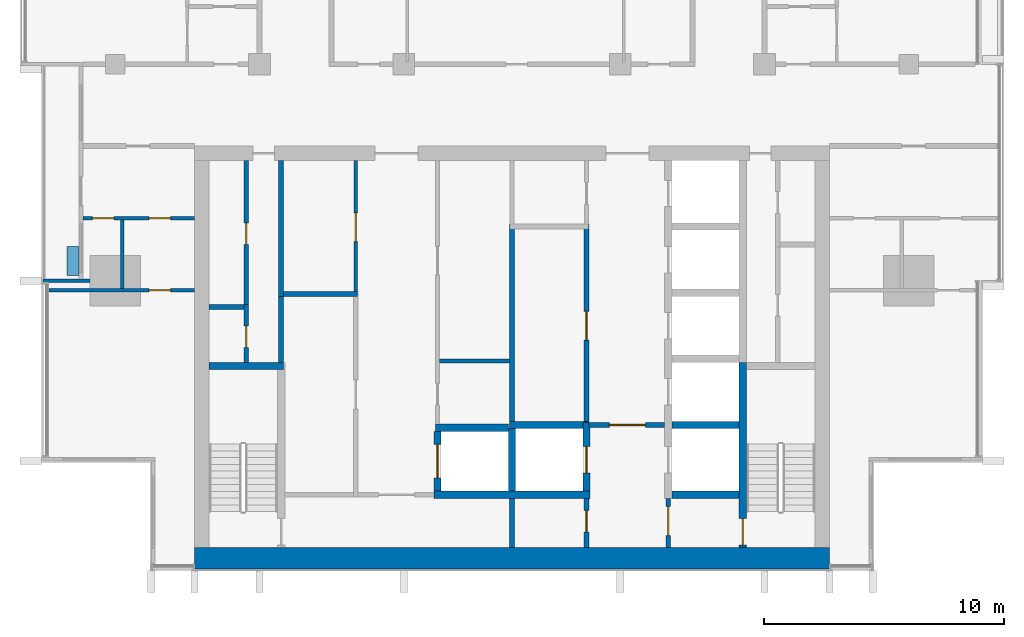
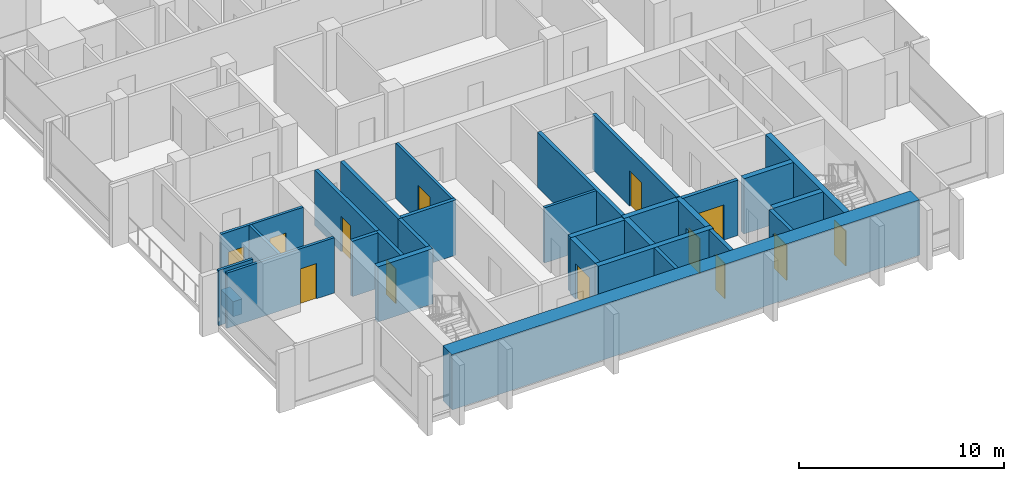
# One storey, part 7 of 16: 30 walls, 13 doors, 13 openings.
"""IFC4 building model written with IfcOpenShell, lengths in metres."""

from ifc_helpers import new_model, si_unit, direction, frame, frame_2d, origin, place, context, subcontext, project, spatial, rectangle, extrude, material, layer, layer_set, type_object, element, fill, save


model = new_model("IFC4")

# Units and contexts
model_context = context("Model", 3, precision=1e-05, world=origin(), true_north=direction((0.0, 1.0)))
body_context = subcontext(model_context, "Body", "Model", "MODEL_VIEW")
ifc_project = project(units=[si_unit("LENGTHUNIT", "METRE"), si_unit("AREAUNIT", "SQUARE_METRE"), si_unit("VOLUMEUNIT", "CUBIC_METRE"), si_unit("PLANEANGLEUNIT", "RADIAN"), si_unit("MASSUNIT", "GRAM", prefix="KILO")], contexts=[model_context])

# Site, building, storey
site_placement = place(None, origin())
site = spatial("IfcSite", under=ifc_project, at=site_placement, CompositionType="ELEMENT")
building_placement = place(site_placement, origin())
building = spatial("IfcBuilding", under=site, at=building_placement, Name="Finial Court Residences", CompositionType="ELEMENT")
storey_placement = place(building_placement, frame((0.0, 0.0, 215.89990234375)))
storey = spatial("IfcBuildingStorey", under=building, at=storey_placement, Name="L54", CompositionType="ELEMENT", Elevation=215.89990234375)

# Wall
ifc_material_1 = material(Name="Fire-rated gypsum board partition")
ifc_layer_1 = layer(ifc_material_1, 0.14990234375)
ifc_layer_set_1 = layer_set([ifc_layer_1], Name="Core room partition 150 EI 60")
wall_type_1 = type_object("IfcWallType", Name="Core room partition 150 EI 60", PredefinedType="PARTITIONING", material=ifc_layer_set_1)
wall_1_placement = place(storey_placement, frame((-3.02490234375, -16.840087890625, 0.0), z_axis=(0.0, 0.0, 1.0), x_axis=(1.0, 0.0, 0.0)))
element("IfcWall", 1, at=wall_1_placement, inside=storey, type_object=wall_type_1, Name="Core partition L54-11", PredefinedType="PARTITIONING", context=body_context, shape_type="SweptSolid", body=[
    extrude(rectangle(XDim=2.9248046875, YDim=0.14990234375, at=frame_2d((1.46240234375, 0.0))), origin(), (0.0, 0.0, 1.0), 3.300048828125),
])

# Wall, opening, door
wall_2_placement = place(storey_placement, frame((-6.5, -13.9599609375, 0.0), z_axis=(0.0, 0.0, 1.0), x_axis=(0.0, 1.0, 0.0)))
wall_2 = element("IfcWall", 2, at=wall_2_placement, inside=storey, type_object=wall_type_1, Name="Core partition L54-25", PredefinedType="PARTITIONING", context=body_context, shape_type="SweptSolid", body=[
    extrude(rectangle(XDim=5.4599609375, YDim=0.14990234375, at=frame_2d((2.72998046875, 0.0))), origin(), (0.0, 0.0, 1.0), 3.300048828125),
])
opening_1_placement = place(wall_2_placement, frame((2.080078125, 0.0, 0.0)))
opening_1 = element("IfcOpeningElement", 3, at=opening_1_placement, cuts=wall_2, Name="Opening L54-C15", PredefinedType="OPENING", context=body_context, shape_type="SweptSolid", body=[
    extrude(rectangle(XDim=1.199951171875, YDim=2.10009765625, at=frame_2d((0.60009765625, 1.050048828125))), frame((0.0, 0.0849609375, 0.0), z_axis=(0.0, -1.0, 0.0), x_axis=(1.0, 0.0, 0.0)), (0.0, 0.0, 1.0), 0.169921875),
])
ifc_material_2 = material(Name="Steel fire door", Category="steel")
door_type_1 = type_object("IfcDoorType", Name="Core room door 1200 x 2100 EI 60", OperationType="NOTDEFINED", PredefinedType="DOOR", material=ifc_material_2)
door_1_placement = place(opening_1_placement, origin())
door_1 = element("IfcDoor", 4, at=door_1_placement, inside=storey, type_object=door_type_1, Name="Core room door L54-C15", OperationType="SINGLE_SWING_RIGHT", OverallHeight=2.10009765625, OverallWidth=1.199951171875, PredefinedType="DOOR", context=body_context, shape_type="SweptSolid", body=[
    extrude(rectangle(XDim=1.199951171875, YDim=2.10009765625, at=frame_2d((0.60009765625, 1.050048828125))), frame((0.0, 0.02490234375, 0.0), z_axis=(0.0, -1.0, 0.0), x_axis=(1.0, 0.0, 0.0)), (0.0, 0.0, 1.0), 0.050048828125),
])
fill(opening_1, door_1)

# Wall
ifc_material_3 = material(Name="Concrete C60/75", Category="concrete")
ifc_layer_2 = layer(ifc_material_3, 0.89990234375)
ifc_layer_set_2 = layer_set([ifc_layer_2], Name="Core south facade wall 900 Concrete C60/75")
wall_type_2 = type_object("IfcWallType", Name="Core south facade wall 900 Concrete C60/75", PredefinedType="SHEAR", material=ifc_layer_set_2)
wall_3_placement = place(storey_placement, frame((-13.199951171875, -25.050048828125, 0.0), z_axis=(0.0, 0.0, 1.0), x_axis=(1.0, 0.0, 0.0)))
element("IfcWall", 5, at=wall_3_placement, inside=storey, type_object=wall_type_2, Name="Core outer wall L54-01", PredefinedType="SHEAR", context=body_context, shape_type="SweptSolid", body=[
    extrude(rectangle(XDim=26.39990234375, YDim=0.89990234375, at=frame_2d((13.199951171875, 0.0))), origin(), (0.0, 0.0, 1.0), 3.300048828125),
])

# Wall, opening, door
ifc_layer_3 = layer(ifc_material_1, 0.199951171875)
ifc_layer_set_3 = layer_set([ifc_layer_3], Name="Firefighting lobby wall 200 EI 120")
wall_type_3 = type_object("IfcWallType", Name="Firefighting lobby wall 200 EI 120", PredefinedType="PARTITIONING", material=ifc_layer_set_3)
wall_4_placement = place(storey_placement, frame((6.35009765625, -19.5, 0.0), z_axis=(0.0, 0.0, 1.0), x_axis=(-1.0, 0.0, 0.0)))
wall_4 = element("IfcWall", 6, at=wall_4_placement, inside=storey, type_object=wall_type_3, Name="Core partition L54-07", PredefinedType="PARTITIONING", context=body_context, shape_type="SweptSolid", body=[
    extrude(rectangle(XDim=3.150146484375, YDim=0.199951171875, at=frame_2d((1.5751953125, 0.0))), origin(), (0.0, 0.0, 1.0), 3.300048828125),
])
opening_2_placement = place(wall_4_placement, frame((0.800048828125, 0.0, 0.0)))
opening_2 = element("IfcOpeningElement", 7, at=opening_2_placement, cuts=wall_4, Name="Opening L54-C02", PredefinedType="OPENING", context=body_context, shape_type="SweptSolid", body=[
    extrude(rectangle(XDim=1.5, YDim=2.10009765625, at=frame_2d((0.75, 1.050048828125))), frame((0.0, 0.10986328125, 0.0), z_axis=(0.0, -1.0, 0.0), x_axis=(1.0, 0.0, 0.0)), (0.0, 0.0, 1.0), 0.219970703125),
])
door_type_2 = type_object("IfcDoorType", Name="Firefighting lobby door 1500 x 2100 EI 90", OperationType="DOUBLE_DOOR_SINGLE_SWING", PredefinedType="DOOR", material=ifc_material_2)
door_2_placement = place(opening_2_placement, origin())
door_2 = element("IfcDoor", 8, at=door_2_placement, inside=storey, type_object=door_type_2, Name="Firefighting lobby door L54-C02", OperationType="DOUBLE_DOOR_SINGLE_SWING", OverallHeight=2.10009765625, OverallWidth=1.5, PredefinedType="DOOR", context=body_context, shape_type="SweptSolid", body=[
    extrude(rectangle(XDim=1.5, YDim=2.10009765625, at=frame_2d((0.75, 1.050048828125))), frame((0.0, 0.02490234375, 0.0), z_axis=(0.0, -1.0, 0.0), x_axis=(1.0, 0.0, 0.0)), (0.0, 0.0, 1.0), 0.050048828125),
])
fill(opening_2, door_2)

wall_5_placement = place(storey_placement, frame((3.10009765625, -24.60009765625, 0.0), z_axis=(0.0, 0.0, 1.0), x_axis=(0.0, 1.0, 0.0)))
wall_5 = element("IfcWall", 9, at=wall_5_placement, inside=storey, type_object=wall_type_3, Name="Core partition L54-32", PredefinedType="PARTITIONING", context=body_context, shape_type="SweptSolid", body=[
    extrude(rectangle(XDim=2.050048828125, YDim=0.199951171875, at=frame_2d((1.02490234375, 0.0))), origin(), (0.0, 0.0, 1.0), 3.300048828125),
])
opening_3_placement = place(wall_5_placement, frame((0.64990234375, 0.0, 0.0)))
opening_3 = element("IfcOpeningElement", 10, at=opening_3_placement, cuts=wall_5, Name="Opening L54-C06", PredefinedType="OPENING", context=body_context, shape_type="SweptSolid", body=[
    extrude(rectangle(XDim=0.89990234375, YDim=2.10009765625, at=frame_2d((0.449951171875, 1.050048828125))), frame((0.0, 0.10986328125, 0.0), z_axis=(0.0, -1.0, 0.0), x_axis=(1.0, 0.0, 0.0)), (0.0, 0.0, 1.0), 0.219970703125),
])
door_type_3 = type_object("IfcDoorType", Name="Riser room door 900 x 2100 EI 90", OperationType="NOTDEFINED", PredefinedType="DOOR", material=ifc_material_2)
door_3_placement = place(opening_3_placement, origin())
door_3 = element("IfcDoor", 11, at=door_3_placement, inside=storey, type_object=door_type_3, Name="Riser room door L54-C06", OperationType="SINGLE_SWING_LEFT", OverallHeight=2.10009765625, OverallWidth=0.89990234375, PredefinedType="DOOR", context=body_context, shape_type="SweptSolid", body=[
    extrude(rectangle(XDim=0.89990234375, YDim=2.10009765625, at=frame_2d((0.449951171875, 1.050048828125))), frame((0.0, 0.02490234375, 0.0), z_axis=(0.0, -1.0, 0.0), x_axis=(1.0, 0.0, 0.0)), (0.0, 0.0, 1.0), 0.050048828125),
])
fill(opening_3, door_3)

wall_6_placement = place(storey_placement, frame((6.5, -22.550048828125, 0.0), z_axis=(0.0, 0.0, 1.0), x_axis=(0.0, -1.0, 0.0)))
wall_6 = element("IfcWall", 12, at=wall_6_placement, inside=storey, type_object=wall_type_3, Name="Core partition L54-36", PredefinedType="PARTITIONING", context=body_context, shape_type="SweptSolid", body=[
    extrude(rectangle(XDim=2.050048828125, YDim=0.199951171875, at=frame_2d((1.02490234375, 0.0))), origin(), (0.0, 0.0, 1.0), 3.300048828125),
])
opening_4_placement = place(wall_6_placement, frame((0.35009765625, 0.0, 0.0)))
opening_4 = element("IfcOpeningElement", 13, at=opening_4_placement, cuts=wall_6, Name="Opening L54-C01", PredefinedType="OPENING", context=body_context, shape_type="SweptSolid", body=[
    extrude(rectangle(XDim=1.199951171875, YDim=2.10009765625, at=frame_2d((0.60009765625, 1.050048828125))), frame((0.0, 0.10986328125, 0.0), z_axis=(0.0, -1.0, 0.0), x_axis=(1.0, 0.0, 0.0)), (0.0, 0.0, 1.0), 0.219970703125),
])
door_type_4 = type_object("IfcDoorType", Name="Firefighting lobby door 1200 x 2100 EI 90", OperationType="NOTDEFINED", PredefinedType="DOOR", material=ifc_material_2)
door_4_placement = place(opening_4_placement, origin())
door_4 = element("IfcDoor", 14, at=door_4_placement, inside=storey, type_object=door_type_4, Name="Firefighting lobby door L54-C01", OperationType="SINGLE_SWING_RIGHT", OverallHeight=2.10009765625, OverallWidth=1.199951171875, PredefinedType="DOOR", context=body_context, shape_type="SweptSolid", body=[
    extrude(rectangle(XDim=1.199951171875, YDim=2.10009765625, at=frame_2d((0.60009765625, 1.050048828125))), frame((0.0, 0.02490234375, 0.0), z_axis=(0.0, -1.0, 0.0), x_axis=(1.0, 0.0, 0.0)), (0.0, 0.0, 1.0), 0.050048828125),
])
fill(opening_4, door_4)

ifc_material_4 = material(Name="Moisture-resistant gypsum board")
ifc_layer_4 = layer(ifc_material_4, 0.012451171875)
ifc_material_5 = material(Name="Mineral wool in light-gauge frame")
ifc_layer_5 = layer(ifc_material_5, 0.125)
ifc_layer_6 = layer(ifc_material_4, 0.012451171875)
ifc_layer_set_4 = layer_set([ifc_layer_4, ifc_layer_5, ifc_layer_6], Name="Gypsum board wet-area partition 150")
wall_type_4 = type_object("IfcWallType", Name="Gypsum board wet-area partition 150", PredefinedType="PARTITIONING", material=ifc_layer_set_4)
wall_7_placement = place(storey_placement, frame((-19.262451171875, -13.89990234375, 0.0), z_axis=(0.0, 0.0, 1.0), x_axis=(1.0, 0.0, 0.0)))
wall_7 = element("IfcWall", 15, at=wall_7_placement, inside=storey, type_object=wall_type_4, Name="Partition L54-000", PredefinedType="PARTITIONING", context=body_context, shape_type="SweptSolid", body=[
    extrude(rectangle(XDim=6.0625, YDim=0.14990234375, at=frame_2d((3.03125, 0.0))), origin(), (0.0, 0.0, 1.0), 3.300048828125),
])
opening_5_placement = place(wall_7_placement, frame((4.162109375, 0.0, 0.0)))
opening_5 = element("IfcOpeningElement", 16, at=opening_5_placement, cuts=wall_7, Name="Opening L54-D001", PredefinedType="OPENING", context=body_context, shape_type="SweptSolid", body=[
    extrude(rectangle(XDim=0.89990234375, YDim=2.10009765625, at=frame_2d((0.449951171875, 1.050048828125))), frame((0.0, 0.0849609375, 0.0), z_axis=(0.0, -1.0, 0.0), x_axis=(1.0, 0.0, 0.0)), (0.0, 0.0, 1.0), 0.169921875),
])
ifc_material_6 = material(Name="Timber door leaf in timber frame", Category="wood")
door_type_5 = type_object("IfcDoorType", Name="Door set 900 x 2100", OperationType="SINGLE_SWING_LEFT", PredefinedType="DOOR", material=ifc_material_6)
door_5_placement = place(opening_5_placement, origin())
door_5 = element("IfcDoor", 17, at=door_5_placement, inside=storey, type_object=door_type_5, Name="Door L54-D001", OperationType="SINGLE_SWING_RIGHT", OverallHeight=2.10009765625, OverallWidth=0.89990234375, PredefinedType="DOOR", context=body_context, shape_type="SweptSolid", body=[
    extrude(rectangle(XDim=0.89990234375, YDim=2.10009765625, at=frame_2d((0.449951171875, 1.050048828125))), frame((0.0, 0.02490234375, 0.0), z_axis=(0.0, -1.0, 0.0), x_axis=(1.0, 0.0, 0.0)), (0.0, 0.0, 1.0), 0.050048828125),
])
fill(opening_5, door_5)

# Wall, openings, doors
wall_8_placement = place(storey_placement, frame((-17.85009765625, -10.89990234375, 0.0), z_axis=(0.0, 0.0, 1.0), x_axis=(1.0, 0.0, 0.0)))
wall_8 = element("IfcWall", 18, at=wall_8_placement, inside=storey, type_object=wall_type_4, Name="Partition L54-002", PredefinedType="PARTITIONING", context=body_context, shape_type="SweptSolid", body=[
    extrude(rectangle(XDim=4.650146484375, YDim=0.14990234375, at=frame_2d((2.3251953125, 0.0))), origin(), (0.0, 0.0, 1.0), 3.300048828125),
])
opening_6_placement = place(wall_8_placement, frame((0.39990234375, 0.0, 0.0)))
opening_6 = element("IfcOpeningElement", 19, at=opening_6_placement, cuts=wall_8, Name="Opening L54-D003", PredefinedType="OPENING", context=body_context, shape_type="SweptSolid", body=[
    extrude(rectangle(XDim=0.89990234375, YDim=2.10009765625, at=frame_2d((0.449951171875, 1.050048828125))), frame((0.0, 0.0849609375, 0.0), z_axis=(0.0, -1.0, 0.0), x_axis=(1.0, 0.0, 0.0)), (0.0, 0.0, 1.0), 0.169921875),
])
opening_7_placement = place(wall_8_placement, frame((2.75, 0.0, 0.0)))
opening_7 = element("IfcOpeningElement", 20, at=opening_7_placement, cuts=wall_8, Name="Opening L54-D004", PredefinedType="OPENING", context=body_context, shape_type="SweptSolid", body=[
    extrude(rectangle(XDim=0.89990234375, YDim=2.10009765625, at=frame_2d((0.449951171875, 1.050048828125))), frame((0.0, 0.0849609375, 0.0), z_axis=(0.0, -1.0, 0.0), x_axis=(1.0, 0.0, 0.0)), (0.0, 0.0, 1.0), 0.169921875),
])
door_6_placement = place(opening_6_placement, origin())
door_6 = element("IfcDoor", 21, at=door_6_placement, inside=storey, type_object=door_type_5, Name="Door L54-D003", OperationType="SINGLE_SWING_LEFT", OverallHeight=2.10009765625, OverallWidth=0.89990234375, PredefinedType="DOOR", context=body_context, shape_type="SweptSolid", body=[
    extrude(rectangle(XDim=0.89990234375, YDim=2.10009765625, at=frame_2d((0.449951171875, 1.050048828125))), frame((0.0, 0.02490234375, 0.0), z_axis=(0.0, -1.0, 0.0), x_axis=(1.0, 0.0, 0.0)), (0.0, 0.0, 1.0), 0.050048828125),
])
fill(opening_6, door_6)
door_7_placement = place(opening_7_placement, origin())
door_7 = element("IfcDoor", 22, at=door_7_placement, inside=storey, type_object=door_type_5, Name="Door L54-D004", OperationType="SINGLE_SWING_RIGHT", OverallHeight=2.10009765625, OverallWidth=0.89990234375, PredefinedType="DOOR", context=body_context, shape_type="SweptSolid", body=[
    extrude(rectangle(XDim=0.89990234375, YDim=2.10009765625, at=frame_2d((0.449951171875, 1.050048828125))), frame((0.0, 0.02490234375, 0.0), z_axis=(0.0, -1.0, 0.0), x_axis=(1.0, 0.0, 0.0)), (0.0, 0.0, 1.0), 0.050048828125),
])
fill(opening_7, door_7)

# Walls
wall_9_placement = place(storey_placement, frame((-16.199951171875, -13.824951171875, 0.0), z_axis=(0.0, 0.0, 1.0), x_axis=(0.0, 1.0, 0.0)))
element("IfcWall", 23, at=wall_9_placement, inside=storey, type_object=wall_type_4, Name="Partition L54-033", PredefinedType="PARTITIONING", context=body_context, shape_type="SweptSolid", body=[
    extrude(rectangle(XDim=2.849853515625, YDim=0.14990234375, at=frame_2d((1.4248046875, 0.0))), origin(), (0.0, 0.0, 1.0), 3.300048828125),
])
ifc_layer_7 = layer(ifc_material_3, 0.300048828125)
ifc_layer_set_5 = layer_set([ifc_layer_7], Name="Lift shaft and stair wall 300 Concrete C60/75")
wall_type_5 = type_object("IfcWallType", Name="Lift shaft and stair wall 300 Concrete C60/75", PredefinedType="SHEAR", material=ifc_layer_set_5)
wall_10_placement = place(storey_placement, frame((-3.25, -22.39990234375, 0.0), z_axis=(0.0, 0.0, 1.0), x_axis=(1.0, 0.0, 0.0)))
element("IfcWall", 24, at=wall_10_placement, inside=storey, type_object=wall_type_5, Name="Core wall L54-03", PredefinedType="SHEAR", context=body_context, shape_type="SweptSolid", body=[
    extrude(rectangle(XDim=6.5, YDim=0.300048828125, at=frame_2d((3.25, 0.0))), origin(), (0.0, 0.0, 1.0), 3.300048828125),
])
wall_11_placement = place(storey_placement, frame((6.64990234375, -22.39990234375, 0.0), z_axis=(0.0, 0.0, 1.0), x_axis=(1.0, 0.0, 0.0)))
element("IfcWall", 25, at=wall_11_placement, inside=storey, type_object=wall_type_5, Name="Core wall L54-04", PredefinedType="SHEAR", context=body_context, shape_type="SweptSolid", body=[
    extrude(rectangle(XDim=2.800048828125, YDim=0.300048828125, at=frame_2d((1.39990234375, 0.0))), origin(), (0.0, 0.0, 1.0), 3.300048828125),
])
wall_12_placement = place(storey_placement, frame((-3.175048828125, -19.6201171875, 0.0), z_axis=(0.0, 0.0, 1.0), x_axis=(1.0, 0.0, 0.0)))
element("IfcWall", 26, at=wall_12_placement, inside=storey, type_object=wall_type_5, Name="Core wall L54-05", PredefinedType="SHEAR", context=body_context, shape_type="SweptSolid", body=[
    extrude(rectangle(XDim=3.025146484375, YDim=0.300048828125, at=frame_2d((1.5126953125, 0.0))), origin(), (0.0, 0.0, 1.0), 3.300048828125),
])
wall_13_placement = place(storey_placement, frame((-0.10009765625, -19.5, 0.0), z_axis=(0.0, 0.0, 1.0), x_axis=(1.0, 0.0, 0.0)))
element("IfcWall", 27, at=wall_13_placement, inside=storey, type_object=wall_type_5, Name="Core wall L54-06", PredefinedType="SHEAR", context=body_context, shape_type="SweptSolid", body=[
    extrude(rectangle(XDim=3.300048828125, YDim=0.300048828125, at=frame_2d((1.64990234375, 0.0))), origin(), (0.0, 0.0, 1.0), 3.300048828125),
])
wall_14_placement = place(storey_placement, frame((6.64990234375, -19.5, 0.0), z_axis=(0.0, 0.0, 1.0), x_axis=(1.0, 0.0, 0.0)))
element("IfcWall", 28, at=wall_14_placement, inside=storey, type_object=wall_type_5, Name="Core wall L54-08", PredefinedType="SHEAR", context=body_context, shape_type="SweptSolid", body=[
    extrude(rectangle(XDim=2.800048828125, YDim=0.300048828125, at=frame_2d((1.39990234375, 0.0))), origin(), (0.0, 0.0, 1.0), 3.300048828125),
])
wall_15_placement = place(storey_placement, frame((-12.60009765625, -17.050048828125, 0.0), z_axis=(0.0, 0.0, 1.0), x_axis=(1.0, 0.0, 0.0)))
element("IfcWall", 29, at=wall_15_placement, inside=storey, type_object=wall_type_5, Name="Core wall L54-09", PredefinedType="SHEAR", context=body_context, shape_type="SweptSolid", body=[
    extrude(rectangle(XDim=3.10009765625, YDim=0.300048828125, at=frame_2d((1.550048828125, 0.0))), origin(), (0.0, 0.0, 1.0), 3.300048828125),
])

# Wall, opening, door
wall_16_placement = place(storey_placement, frame((-3.10009765625, -22.25, 0.0), z_axis=(0.0, 0.0, 1.0), x_axis=(0.0, 1.0, 0.0)))
wall_16 = element("IfcWall", 30, at=wall_16_placement, inside=storey, type_object=wall_type_5, Name="Core wall L54-26", PredefinedType="SHEAR", context=body_context, shape_type="SweptSolid", body=[
    extrude(rectangle(XDim=2.47998046875, YDim=0.300048828125, at=frame_2d((1.239990234375, 0.0))), origin(), (0.0, 0.0, 1.0), 3.300048828125),
])
opening_8_placement = place(wall_16_placement, frame((0.5400390625, 0.0, 0.0)))
opening_8 = element("IfcOpeningElement", 31, at=opening_8_placement, cuts=wall_16, Name="Opening L54-LD07", PredefinedType="OPENING", context=body_context, shape_type="SweptSolid", body=[
    extrude(rectangle(XDim=1.39990234375, YDim=2.10009765625, at=frame_2d((0.699951171875, 1.050048828125))), frame((0.0, 0.159912109375, 0.0), z_axis=(0.0, -1.0, 0.0), x_axis=(1.0, 0.0, 0.0)), (0.0, 0.0, 1.0), 0.320068359375),
])
ifc_material_7 = material(Name="Stainless steel lift door", Category="steel")
door_type_6 = type_object("IfcDoorType", Name="Lift landing door 1400 x 2100 EI 90", OperationType="DOUBLE_DOOR_SLIDING", PredefinedType="DOOR", material=ifc_material_7)
door_8_placement = place(opening_8_placement, origin())
door_8 = element("IfcDoor", 32, at=door_8_placement, inside=storey, type_object=door_type_6, Name="Lift landing door SV1 L54", OperationType="DOUBLE_DOOR_SLIDING", OverallHeight=2.10009765625, OverallWidth=1.39990234375, PredefinedType="DOOR", context=body_context, shape_type="SweptSolid", body=[
    extrude(rectangle(XDim=1.39990234375, YDim=2.10009765625, at=frame_2d((0.699951171875, 1.050048828125))), frame((0.0, 0.02490234375, 0.0), z_axis=(0.0, -1.0, 0.0), x_axis=(1.0, 0.0, 0.0)), (0.0, 0.0, 1.0), 0.050048828125),
])
fill(opening_8, door_8)

# Wall
wall_17_placement = place(storey_placement, frame((0.0, -22.25, 0.0), z_axis=(0.0, 0.0, 1.0), x_axis=(0.0, 1.0, 0.0)))
element("IfcWall", 33, at=wall_17_placement, inside=storey, type_object=wall_type_5, Name="Core wall L54-29", PredefinedType="SHEAR", context=body_context, shape_type="SweptSolid", body=[
    extrude(rectangle(XDim=2.60009765625, YDim=0.300048828125, at=frame_2d((1.300048828125, 0.0))), origin(), (0.0, 0.0, 1.0), 3.300048828125),
])

# Wall, opening, door
wall_18_placement = place(storey_placement, frame((3.10009765625, -22.25, 0.0), z_axis=(0.0, 0.0, 1.0), x_axis=(0.0, 1.0, 0.0)))
wall_18 = element("IfcWall", 34, at=wall_18_placement, inside=storey, type_object=wall_type_5, Name="Core wall L54-33", PredefinedType="SHEAR", context=body_context, shape_type="SweptSolid", body=[
    extrude(rectangle(XDim=2.85009765625, YDim=0.300048828125, at=frame_2d((1.425048828125, 0.0))), origin(), (0.0, 0.0, 1.0), 3.300048828125),
])
opening_9_placement = place(wall_18_placement, frame((0.75, 0.0, 0.0)))
opening_9 = element("IfcOpeningElement", 35, at=opening_9_placement, cuts=wall_18, Name="Opening L54-LD01", PredefinedType="OPENING", context=body_context, shape_type="SweptSolid", body=[
    extrude(rectangle(XDim=1.10009765625, YDim=2.10009765625, at=frame_2d((0.550048828125, 1.050048828125))), frame((0.0, 0.159912109375, 0.0), z_axis=(0.0, -1.0, 0.0), x_axis=(1.0, 0.0, 0.0)), (0.0, 0.0, 1.0), 0.320068359375),
])
door_type_7 = type_object("IfcDoorType", Name="Lift landing door 1100 x 2100 EI 90", OperationType="DOUBLE_DOOR_SLIDING", PredefinedType="DOOR", material=ifc_material_7)
door_9_placement = place(opening_9_placement, origin())
door_9 = element("IfcDoor", 36, at=door_9_placement, inside=storey, type_object=door_type_7, Name="Lift landing door FF1 L54", OperationType="DOUBLE_DOOR_SLIDING", OverallHeight=2.10009765625, OverallWidth=1.10009765625, PredefinedType="DOOR", context=body_context, shape_type="SweptSolid", body=[
    extrude(rectangle(XDim=1.10009765625, YDim=2.10009765625, at=frame_2d((0.550048828125, 1.050048828125))), frame((0.0, 0.02490234375, 0.0), z_axis=(0.0, -1.0, 0.0), x_axis=(1.0, 0.0, 0.0)), (0.0, 0.0, 1.0), 0.050048828125),
])
fill(opening_9, door_9)

wall_19_placement = place(storey_placement, frame((9.60009765625, -16.89990234375, 0.0), z_axis=(0.0, 0.0, 1.0), x_axis=(0.0, -1.0, 0.0)))
wall_19 = element("IfcWall", 37, at=wall_19_placement, inside=storey, type_object=wall_type_5, Name="Core wall L54-38", PredefinedType="SHEAR", context=body_context, shape_type="SweptSolid", body=[
    extrude(rectangle(XDim=7.7001953125, YDim=0.300048828125, at=frame_2d((3.85009765625, 0.0))), origin(), (0.0, 0.0, 1.0), 3.300048828125),
])
opening_10_placement = place(wall_19_placement, frame((6.5, 0.0, 0.0)))
opening_10 = element("IfcOpeningElement", 38, at=opening_10_placement, cuts=wall_19, Name="Opening L54-C20", PredefinedType="OPENING", context=body_context, shape_type="SweptSolid", body=[
    extrude(rectangle(XDim=1.10009765625, YDim=2.10009765625, at=frame_2d((0.550048828125, 1.050048828125))), frame((0.0, 0.159912109375, 0.0), z_axis=(0.0, -1.0, 0.0), x_axis=(1.0, 0.0, 0.0)), (0.0, 0.0, 1.0), 0.320068359375),
])
door_type_8 = type_object("IfcDoorType", Name="Stair door 1100 x 2100 EI 90", OperationType="NOTDEFINED", PredefinedType="DOOR", material=ifc_material_2)
door_10_placement = place(opening_10_placement, origin())
door_10 = element("IfcDoor", 39, at=door_10_placement, inside=storey, type_object=door_type_8, Name="Stair door L54-C20", OperationType="SINGLE_SWING_RIGHT", OverallHeight=2.10009765625, OverallWidth=1.10009765625, PredefinedType="DOOR", context=body_context, shape_type="SweptSolid", body=[
    extrude(rectangle(XDim=1.10009765625, YDim=2.10009765625, at=frame_2d((0.550048828125, 1.050048828125))), frame((0.0, 0.02490234375, 0.0), z_axis=(0.0, -1.0, 0.0), x_axis=(1.0, 0.0, 0.0)), (0.0, 0.0, 1.0), 0.050048828125),
])
fill(opening_10, door_10)

# Walls
ifc_material_8 = material(Name="Natural limestone", Category="masonry")
ifc_layer_8 = layer(ifc_material_8, 0.14990234375)
ifc_layer_set_6 = layer_set([ifc_layer_8], Name="Limestone clad wall 150")
wall_type_6 = type_object("IfcWallType", Name="Limestone clad wall 150", PredefinedType="SOLIDWALL", material=ifc_layer_set_6)
wall_20_placement = place(storey_placement, frame((-17.550048828125, -13.5, 0.0), z_axis=(0.0, 0.0, 1.0), x_axis=(-1.0, 0.0, 0.0)))
element("IfcWall", 40, at=wall_20_placement, inside=storey, type_object=wall_type_6, Name="E-L54-BALW2-P1", PredefinedType="SOLIDWALL", context=body_context, shape_type="SweptSolid", body=[
    extrude(rectangle(XDim=1.949951171875, YDim=0.14990234375, at=frame_2d((0.97509765625, 0.0))), origin(), (0.0, 0.0, 1.0), 3.300048828125),
])
ifc_material_9 = material(Name="Concrete C40/50", Category="concrete")
ifc_layer_9 = layer(ifc_material_9, 0.10009765625)
ifc_material_10 = material(Name="Planting soil", Category="soil")
ifc_layer_10 = layer(ifc_material_10, 0.300048828125)
ifc_layer_11 = layer(ifc_material_9, 0.10009765625)
ifc_layer_set_7 = layer_set([ifc_layer_9, ifc_layer_10, ifc_layer_11], Name="Planter wall, balcony")
wall_type_7 = type_object("IfcWallType", Name="Planter wall, balcony", PredefinedType="USERDEFINED", material=ifc_layer_set_7)
wall_21_placement = place(storey_placement, frame((-18.25, -13.27490234375, 0.0), z_axis=(0.0, 0.0, 1.0), x_axis=(0.0, 1.0, 0.0)))
element("IfcWall", 41, at=wall_21_placement, inside=storey, type_object=wall_type_7, Name="E-L54-BALW2-PL", ObjectType="PLANTER", PredefinedType="USERDEFINED", context=body_context, shape_type="SweptSolid", body=[
    extrude(rectangle(XDim=1.199951171875, YDim=0.5, at=frame_2d((0.60009765625, 0.0))), origin(), (0.0, 0.0, 1.0), 0.900146484375),
])
ifc_layer_12 = layer(ifc_material_1, 0.199951171875)
ifc_layer_set_8 = layer_set([ifc_layer_12], Name="Riser room wall 200 EI 120")
wall_type_8 = type_object("IfcWallType", Name="Riser room wall 200 EI 120", PredefinedType="PARTITIONING", material=ifc_layer_set_8)
wall_22_placement = place(storey_placement, frame((-12.60009765625, -14.60009765625, 0.0), z_axis=(0.0, 0.0, 1.0), x_axis=(1.0, 0.0, 0.0)))
element("IfcWall", 42, at=wall_22_placement, inside=storey, type_object=wall_type_8, Name="Core partition L54-13", PredefinedType="PARTITIONING", context=body_context, shape_type="SweptSolid", body=[
    extrude(rectangle(XDim=1.4501953125, YDim=0.199951171875, at=frame_2d((0.72509765625, 0.0))), origin(), (0.0, 0.0, 1.0), 3.300048828125),
])
wall_23_placement = place(storey_placement, frame((-9.5, -14.06005859375, 0.0), z_axis=(0.0, 0.0, 1.0), x_axis=(1.0, 0.0, 0.0)))
element("IfcWall", 43, at=wall_23_placement, inside=storey, type_object=wall_type_8, Name="Core partition L54-14", PredefinedType="PARTITIONING", context=body_context, shape_type="SweptSolid", body=[
    extrude(rectangle(XDim=3.074951171875, YDim=0.199951171875, at=frame_2d((1.53759765625, 0.0))), origin(), (0.0, 0.0, 1.0), 3.300048828125),
])

# Wall, opening, door
wall_24_placement = place(storey_placement, frame((-11.050048828125, -14.699951171875, 0.0), z_axis=(0.0, 0.0, 1.0), x_axis=(0.0, 1.0, 0.0)))
wall_24 = element("IfcWall", 44, at=wall_24_placement, inside=storey, type_object=wall_type_8, Name="Core partition L54-20", PredefinedType="PARTITIONING", context=body_context, shape_type="SweptSolid", body=[
    extrude(rectangle(XDim=6.199951171875, YDim=0.199951171875, at=frame_2d((3.10009765625, 0.0))), origin(), (0.0, 0.0, 1.0), 3.300048828125),
])
opening_11_placement = place(wall_24_placement, frame((2.699951171875, 0.0, 0.0)))
opening_11 = element("IfcOpeningElement", 45, at=opening_11_placement, cuts=wall_24, Name="Opening L54-C07", PredefinedType="OPENING", context=body_context, shape_type="SweptSolid", body=[
    extrude(rectangle(XDim=0.89990234375, YDim=2.10009765625, at=frame_2d((0.449951171875, 1.050048828125))), frame((0.0, 0.10986328125, 0.0), z_axis=(0.0, -1.0, 0.0), x_axis=(1.0, 0.0, 0.0)), (0.0, 0.0, 1.0), 0.219970703125),
])
door_11_placement = place(opening_11_placement, origin())
door_11 = element("IfcDoor", 46, at=door_11_placement, inside=storey, type_object=door_type_3, Name="Riser room door L54-C07", OperationType="SINGLE_SWING_LEFT", OverallHeight=2.10009765625, OverallWidth=0.89990234375, PredefinedType="DOOR", context=body_context, shape_type="SweptSolid", body=[
    extrude(rectangle(XDim=0.89990234375, YDim=2.10009765625, at=frame_2d((0.449951171875, 1.050048828125))), frame((0.0, 0.02490234375, 0.0), z_axis=(0.0, -1.0, 0.0), x_axis=(1.0, 0.0, 0.0)), (0.0, 0.0, 1.0), 0.050048828125),
])
fill(opening_11, door_11)

# Walls
wall_25_placement = place(storey_placement, frame((-9.60009765625, -16.89990234375, 0.0), z_axis=(0.0, 0.0, 1.0), x_axis=(0.0, 1.0, 0.0)))
element("IfcWall", 47, at=wall_25_placement, inside=storey, type_object=wall_type_8, Name="Core partition L54-22", PredefinedType="PARTITIONING", context=body_context, shape_type="SweptSolid", body=[
    extrude(rectangle(XDim=2.739990234375, YDim=0.199951171875, at=frame_2d((1.3701171875, 0.0))), origin(), (0.0, 0.0, 1.0), 3.300048828125),
])
wall_26_placement = place(storey_placement, frame((0.0, -24.60009765625, 0.0), z_axis=(0.0, 0.0, 1.0), x_axis=(0.0, 1.0, 0.0)))
element("IfcWall", 48, at=wall_26_placement, inside=storey, type_object=wall_type_8, Name="Core partition L54-28", PredefinedType="PARTITIONING", context=body_context, shape_type="SweptSolid", body=[
    extrude(rectangle(XDim=2.050048828125, YDim=0.199951171875, at=frame_2d((1.02490234375, 0.0))), origin(), (0.0, 0.0, 1.0), 3.300048828125),
])
wall_27_placement = place(storey_placement, frame((0.0, -19.35009765625, 0.0), z_axis=(0.0, 0.0, 1.0), x_axis=(0.0, 1.0, 0.0)))
element("IfcWall", 49, at=wall_27_placement, inside=storey, type_object=wall_type_8, Name="Core partition L54-30", PredefinedType="PARTITIONING", context=body_context, shape_type="SweptSolid", body=[
    extrude(rectangle(XDim=8.2001953125, YDim=0.199951171875, at=frame_2d((4.10009765625, 0.0))), origin(), (0.0, 0.0, 1.0), 3.300048828125),
])

# Wall, opening, door
wall_28_placement = place(storey_placement, frame((3.10009765625, -19.60009765625, 0.0), z_axis=(0.0, 0.0, 1.0), x_axis=(0.0, 1.0, 0.0)))
wall_28 = element("IfcWall", 50, at=wall_28_placement, inside=storey, type_object=wall_type_8, Name="Core partition L54-34", PredefinedType="PARTITIONING", context=body_context, shape_type="SweptSolid", body=[
    extrude(rectangle(XDim=8.4501953125, YDim=0.199951171875, at=frame_2d((4.22509765625, 0.0))), origin(), (0.0, 0.0, 1.0), 3.300048828125),
])
opening_12_placement = place(wall_28_placement, frame((3.625, 0.0, 0.0)))
opening_12 = element("IfcOpeningElement", 51, at=opening_12_placement, cuts=wall_28, Name="Opening L54-C10", PredefinedType="OPENING", context=body_context, shape_type="SweptSolid", body=[
    extrude(rectangle(XDim=1.199951171875, YDim=2.10009765625, at=frame_2d((0.60009765625, 1.050048828125))), frame((0.0, 0.10986328125, 0.0), z_axis=(0.0, -1.0, 0.0), x_axis=(1.0, 0.0, 0.0)), (0.0, 0.0, 1.0), 0.219970703125),
])
door_type_9 = type_object("IfcDoorType", Name="Riser room door 1200 x 2100 EI 90", OperationType="NOTDEFINED", PredefinedType="DOOR", material=ifc_material_2)
door_12_placement = place(opening_12_placement, origin())
door_12 = element("IfcDoor", 52, at=door_12_placement, inside=storey, type_object=door_type_9, Name="Riser room door L54-C10", OperationType="SINGLE_SWING_LEFT", OverallHeight=2.10009765625, OverallWidth=1.199951171875, PredefinedType="DOOR", context=body_context, shape_type="SweptSolid", body=[
    extrude(rectangle(XDim=1.199951171875, YDim=2.10009765625, at=frame_2d((0.60009765625, 1.050048828125))), frame((0.0, 0.02490234375, 0.0), z_axis=(0.0, -1.0, 0.0), x_axis=(1.0, 0.0, 0.0)), (0.0, 0.0, 1.0), 0.050048828125),
])
fill(opening_12, door_12)

ifc_layer_13 = layer(ifc_material_1, 0.199951171875)
ifc_layer_set_9 = layer_set([ifc_layer_13], Name="Stair passage wall 200 EI 180")
wall_type_9 = type_object("IfcWallType", Name="Stair passage wall 200 EI 180", PredefinedType="PARTITIONING", material=ifc_layer_set_9)
wall_29_placement = place(storey_placement, frame((-11.050048828125, -16.89990234375, 0.0), z_axis=(0.0, 0.0, 1.0), x_axis=(0.0, 1.0, 0.0)))
wall_29 = element("IfcWall", 53, at=wall_29_placement, inside=storey, type_object=wall_type_9, Name="Core partition L54-19", PredefinedType="PARTITIONING", context=body_context, shape_type="SweptSolid", body=[
    extrude(rectangle(XDim=2.39990234375, YDim=0.199951171875, at=frame_2d((1.199951171875, 0.0))), origin(), (0.0, 0.0, 1.0), 3.300048828125),
])
opening_13_placement = place(wall_29_placement, frame((0.625, 0.0, 0.0)))
opening_13 = element("IfcOpeningElement", 54, at=opening_13_placement, cuts=wall_29, Name="Opening L54-C13", PredefinedType="OPENING", context=body_context, shape_type="SweptSolid", body=[
    extrude(rectangle(XDim=0.89990234375, YDim=2.10009765625, at=frame_2d((0.449951171875, 1.050048828125))), frame((0.0, 0.10986328125, 0.0), z_axis=(0.0, -1.0, 0.0), x_axis=(1.0, 0.0, 0.0)), (0.0, 0.0, 1.0), 0.219970703125),
])
door_type_10 = type_object("IfcDoorType", Name="Core room door 900 x 2100 EI 60", OperationType="NOTDEFINED", PredefinedType="DOOR", material=ifc_material_2)
door_13_placement = place(opening_13_placement, origin())
door_13 = element("IfcDoor", 55, at=door_13_placement, inside=storey, type_object=door_type_10, Name="Core room door L54-C13", OperationType="SINGLE_SWING_RIGHT", OverallHeight=2.10009765625, OverallWidth=0.89990234375, PredefinedType="DOOR", context=body_context, shape_type="SweptSolid", body=[
    extrude(rectangle(XDim=0.89990234375, YDim=2.10009765625, at=frame_2d((0.449951171875, 1.050048828125))), frame((0.0, 0.02490234375, 0.0), z_axis=(0.0, -1.0, 0.0), x_axis=(1.0, 0.0, 0.0)), (0.0, 0.0, 1.0), 0.050048828125),
])
fill(opening_13, door_13)

# Wall
wall_30_placement = place(storey_placement, frame((-9.60009765625, -14.159912109375, 0.0), z_axis=(0.0, 0.0, 1.0), x_axis=(0.0, 1.0, 0.0)))
element("IfcWall", 56, at=wall_30_placement, inside=storey, type_object=wall_type_9, Name="Core partition L54-23", PredefinedType="PARTITIONING", context=body_context, shape_type="SweptSolid", body=[
    extrude(rectangle(XDim=5.659912109375, YDim=0.199951171875, at=frame_2d((2.830078125, 0.0))), origin(), (0.0, 0.0, 1.0), 3.300048828125),
])

save(model, "model.ifc")
